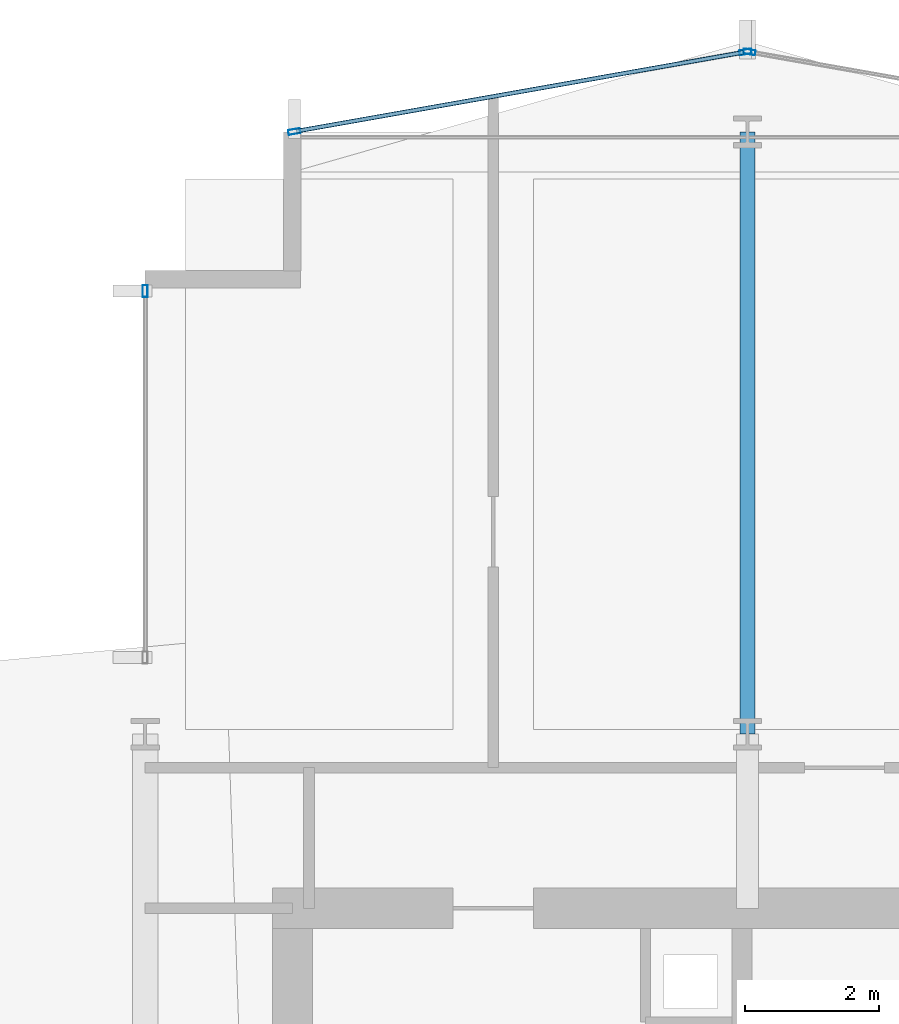
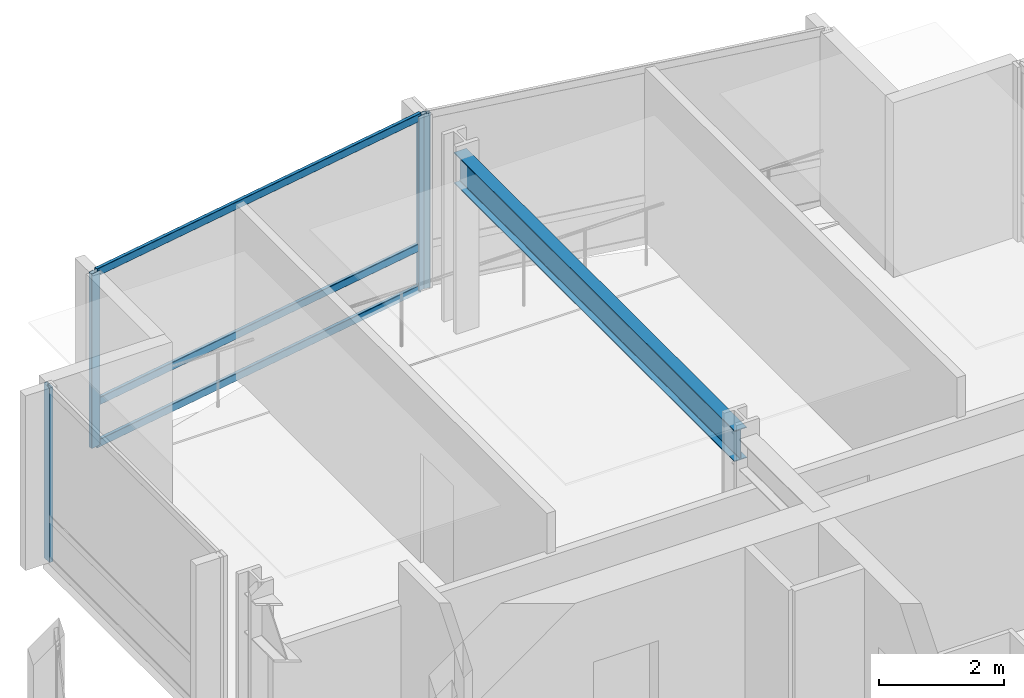
# One storey, part 23 of 34: 7 members, 1 beam, 3 elements without a shape of their own.
"""IFC4 building model written with IfcOpenShell, lengths in metres."""

from ifc_helpers import new_model, si_unit, direction, frame, origin, origin_2d, place, context, subcontext, project, spatial, hollow_rectangle, i_section, extrude, material, layer, layer_set, material_profile, profile_set, type_object, element, aggregate, save


model = new_model("IFC4")

# Units and contexts
model_context = context("Model", 3, precision=1e-05, world=origin(), true_north=direction((0.0, 1.0)))
body_context = subcontext(model_context, "Body", "Model", "MODEL_VIEW")
ifc_project = project(units=[si_unit("LENGTHUNIT", "METRE"), si_unit("AREAUNIT", "SQUARE_METRE"), si_unit("VOLUMEUNIT", "CUBIC_METRE"), si_unit("PLANEANGLEUNIT", "RADIAN"), si_unit("MASSUNIT", "GRAM", prefix="KILO")], contexts=[model_context])

# Site, building, storey
site_placement = place(None, origin())
site = spatial("IfcSite", under=ifc_project, at=site_placement, CompositionType="ELEMENT")
building_placement = place(site_placement, origin())
building = spatial("IfcBuilding", under=site, at=building_placement, Name="Solvaryn Broadcast Tower", CompositionType="ELEMENT")
storey_placement = place(building_placement, frame((0.0, 0.0, 69.300048828125)))
storey = spatial("IfcBuildingStorey", under=building, at=storey_placement, Name="L16", CompositionType="ELEMENT", Elevation=69.300048828125)

# Beam
ifc_material_1 = material(Name="Steel ASTM A992 Grade 50", Category="steel")
ifc_material_profile_1 = material_profile(ifc_material_1, i_section(OverallWidth=0.22802734375, OverallDepth=0.60791015625, WebThickness=0.01123046875, FlangeThickness=0.017333984375, FilletRadius=0.014892578125, at=origin_2d()))
ifc_profile_set_1 = profile_set([ifc_material_profile_1], Name="Steel ASTM A992 Grade 50")
beam_type = type_object("IfcBeamType", Name="BM-B2-W24X76", PredefinedType="BEAM", material=ifc_profile_set_1)
beam_placement = place(storey_placement, frame((18.0, 45.0, 3.115966796875), z_axis=(0.0, 1.0, 0.0), x_axis=(-1.0, 0.0, 0.0)))
element("IfcBeam", 1, at=beam_placement, inside=storey, type_object=beam_type, Name="L16 Primary Beam Y (45-54 @ X=18)", PredefinedType="BEAM", context=body_context, shape_type="SweptSolid", body=[
    extrude(i_section(OverallWidth=0.22802734375, OverallDepth=0.60791015625, WebThickness=0.01123046875, FlangeThickness=0.017333984375, FilletRadius=0.014892578125, at=origin_2d()), origin(), (0.0, 0.0, 1.0), 9.0),
])

# Curtain wall, member
ifc_material_2 = material(Name="Aluminium and Terracotta Unitised Curtain Wall", Category="masonry")
ifc_layer = layer(ifc_material_2, 0.199951171875)
ifc_layer_set = layer_set([ifc_layer], Name="CW-SYS2-LOWMID")
curtain_wall_type = type_object("IfcCurtainWallType", Name="CW-SYS2-LOWMID", PredefinedType="NOTDEFINED", material=ifc_layer_set)
curtain_wall_1_placement = place(storey_placement, origin())
curtain_wall_1 = element("IfcCurtainWall", 2, at=curtain_wall_1_placement, inside=storey, type_object=curtain_wall_type, Name="L16 Curtain Wall W2", PredefinedType="NOTDEFINED")
ifc_material_3 = material(Name="Anodised Aluminium 6063-T6", Category="aluminium")
ifc_material_profile_2 = material_profile(ifc_material_3, hollow_rectangle(XDim=0.074951171875, YDim=0.179931640625, WallThickness=0.00390625, InnerFilletRadius=0.00390625, OuterFilletRadius=0.008056640625, at=origin_2d()))
ifc_profile_set_2 = profile_set([ifc_material_profile_2], Name="Anodised Aluminium 6063-T6")
member_type_1 = type_object("IfcMemberType", Name="CW-MUL-180", PredefinedType="MULLION", material=ifc_profile_set_2)
member_1_placement = place(storey_placement, frame((9.0, 51.6201171875, 0.0), z_axis=(0.0, 0.0, 1.0), x_axis=(-1.0, 0.0, 0.0)))
member_1 = element("IfcMember", 3, at=member_1_placement, type_object=member_type_1, Name="CWS2 mullion 2", PredefinedType="MULLION", context=body_context, shape_type="SweptSolid", body=[
    extrude(hollow_rectangle(XDim=0.074951171875, YDim=0.179931640625, WallThickness=0.00390625, InnerFilletRadius=0.00390625, OuterFilletRadius=0.008056640625, at=origin_2d()), origin(), (0.0, 0.0, 1.0), 3.419921875),
])
aggregate(curtain_wall_1, [member_1])

curtain_wall_2_placement = place(storey_placement, origin())
curtain_wall_2 = element("IfcCurtainWall", 4, at=curtain_wall_2_placement, inside=storey, type_object=curtain_wall_type, Name="L16 Curtain Wall NT1", PredefinedType="NOTDEFINED")
member_2_placement = place(storey_placement, frame((18.029541015625, 55.19482421875, 0.0), z_axis=(0.0, 0.0, 1.0), x_axis=(-0.173785333901, -0.984783558819, 0.0)))
member_2 = element("IfcMember", 5, at=member_2_placement, type_object=member_type_1, Name="CWS2 mullion 2", PredefinedType="MULLION", context=body_context, shape_type="SweptSolid", body=[
    extrude(hollow_rectangle(XDim=0.074951171875, YDim=0.179931640625, WallThickness=0.00390625, InnerFilletRadius=0.00390625, OuterFilletRadius=0.008056640625, at=origin_2d()), origin(), (0.0, 0.0, 1.0), 3.419921875),
])
aggregate(curtain_wall_2, [member_2])

# Curtain wall, members
curtain_wall_3_placement = place(storey_placement, origin())
curtain_wall_3 = element("IfcCurtainWall", 6, at=curtain_wall_3_placement, inside=storey, type_object=curtain_wall_type, Name="L16 Curtain Wall NT2", PredefinedType="NOTDEFINED")
member_3_placement = place(storey_placement, frame((17.970458984375, 55.19482421875, 0.0), z_axis=(0.0, 0.0, 1.0), x_axis=(0.173785333901, -0.984783558819, 0.0)))
member_3 = element("IfcMember", 7, at=member_3_placement, type_object=member_type_1, Name="CWS2 mullion 1", PredefinedType="MULLION", context=body_context, shape_type="SweptSolid", body=[
    extrude(hollow_rectangle(XDim=0.074951171875, YDim=0.179931640625, WallThickness=0.00390625, InnerFilletRadius=0.00390625, OuterFilletRadius=0.008056640625, at=origin_2d()), origin(), (0.0, 0.0, 1.0), 3.419921875),
])
member_4_placement = place(storey_placement, frame((11.2294921875, 54.005126953125, 0.0), z_axis=(0.0, 0.0, 1.0), x_axis=(0.173785333901, -0.984783558819, 0.0)))
member_4 = element("IfcMember", 8, at=member_4_placement, type_object=member_type_1, Name="CWS2 mullion 2", PredefinedType="MULLION", context=body_context, shape_type="SweptSolid", body=[
    extrude(hollow_rectangle(XDim=0.074951171875, YDim=0.179931640625, WallThickness=0.00390625, InnerFilletRadius=0.00390625, OuterFilletRadius=0.008056640625, at=origin_2d()), origin(), (0.0, 0.0, 1.0), 3.419921875),
])
ifc_material_4 = material(Name="Anodised Aluminium 6063-T6", Category="aluminium")
ifc_material_profile_3 = material_profile(ifc_material_4, hollow_rectangle(XDim=0.06494140625, YDim=0.14990234375, WallThickness=0.00390625, InnerFilletRadius=0.00390625, OuterFilletRadius=0.008056640625, at=origin_2d()))
ifc_profile_set_3 = profile_set([ifc_material_profile_3], Name="Anodised Aluminium 6063-T6")
member_type_2 = type_object("IfcMemberType", Name="CW-TRN-150", PredefinedType="USERDEFINED", material=ifc_profile_set_3)
member_5_placement = place(storey_placement, frame((17.94091796875, 55.189453125, 0.030029296875), z_axis=(-0.984788629673, -0.173756596613, 0.0), x_axis=(0.173756596613, -0.984788629673, 0.0)))
member_5 = element("IfcMember", 9, at=member_5_placement, type_object=member_type_2, Name="CWS2 transom 1.1", ObjectType="TRANSOM", PredefinedType="USERDEFINED", context=body_context, shape_type="SweptSolid", body=[
    extrude(hollow_rectangle(XDim=0.06494140625, YDim=0.14990234375, WallThickness=0.00390625, InnerFilletRadius=0.00390625, OuterFilletRadius=0.008056640625, at=origin_2d()), origin(), (0.0, 0.0, 1.0), 6.78515625),
])
member_6_placement = place(storey_placement, frame((17.94091796875, 55.189453125, 0.849853515625), z_axis=(-0.984788629673, -0.173756596613, 0.0), x_axis=(0.173756596613, -0.984788629673, 0.0)))
member_6 = element("IfcMember", 10, at=member_6_placement, type_object=member_type_2, Name="CWS2 transom 1.2", ObjectType="TRANSOM", PredefinedType="USERDEFINED", context=body_context, shape_type="SweptSolid", body=[
    extrude(hollow_rectangle(XDim=0.06494140625, YDim=0.14990234375, WallThickness=0.00390625, InnerFilletRadius=0.00390625, OuterFilletRadius=0.008056640625, at=origin_2d()), origin(), (0.0, 0.0, 1.0), 6.78515625),
])
member_7_placement = place(storey_placement, frame((17.94091796875, 55.189453125, 3.389892578125), z_axis=(-0.984788629673, -0.173756596613, 0.0), x_axis=(0.173756596613, -0.984788629673, 0.0)))
member_7 = element("IfcMember", 11, at=member_7_placement, type_object=member_type_2, Name="CWS2 transom 1.3", ObjectType="TRANSOM", PredefinedType="USERDEFINED", context=body_context, shape_type="SweptSolid", body=[
    extrude(hollow_rectangle(XDim=0.06494140625, YDim=0.14990234375, WallThickness=0.00390625, InnerFilletRadius=0.00390625, OuterFilletRadius=0.008056640625, at=origin_2d()), origin(), (0.0, 0.0, 1.0), 6.78515625),
])
aggregate(curtain_wall_3, [member_3, member_4, member_5, member_6, member_7])

save(model, "model.ifc")
